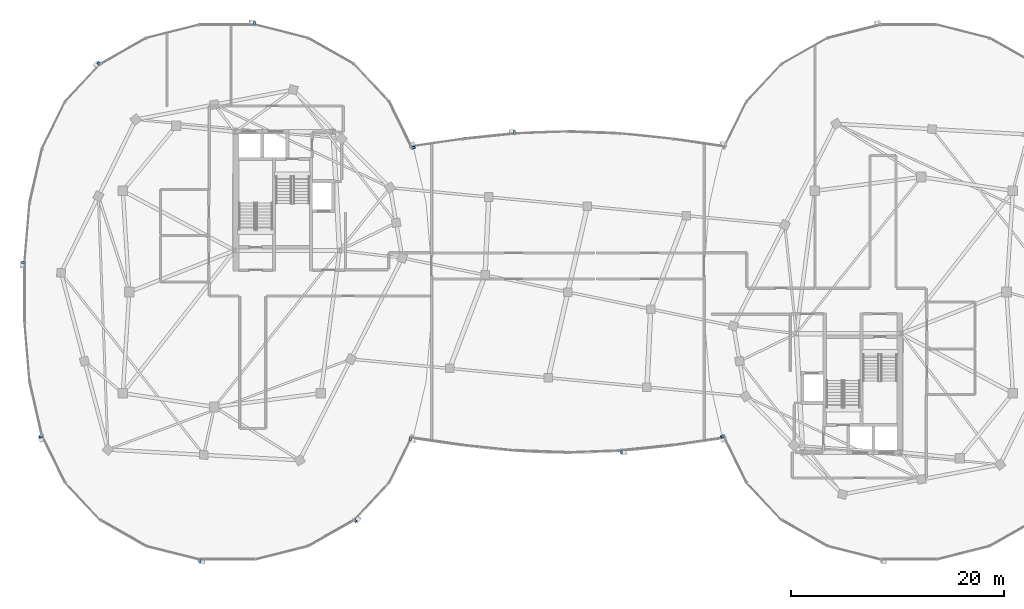
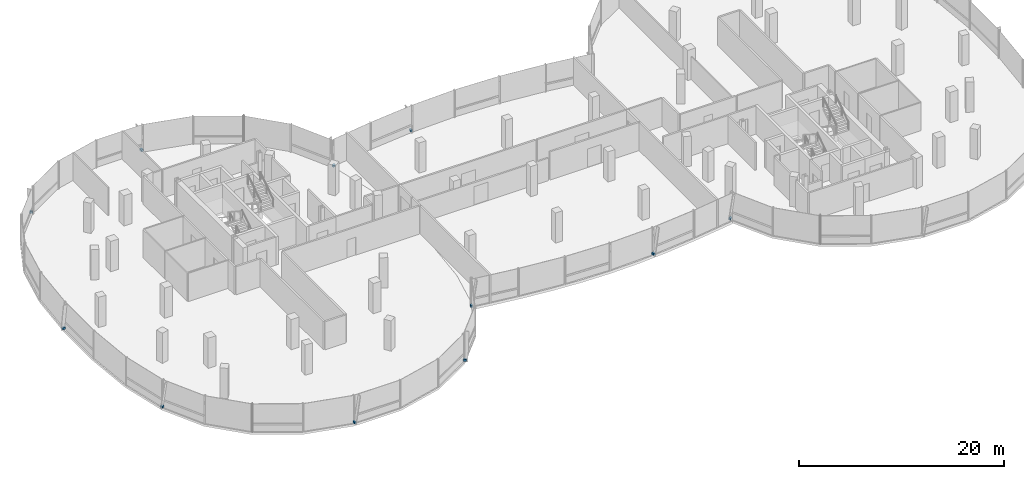
# One storey, part 17 of 24: 11 discrete accessories.
"""IFC4 building model written with IfcOpenShell, lengths in metres."""

from ifc_helpers import new_model, si_unit, direction, frame, origin, origin_2d, place, context, subcontext, project, spatial, rectangle, extrude, material, type_object, element, save


model = new_model("IFC4")

# Units and contexts
model_context = context("Model", 3, precision=1e-05, world=origin(), true_north=direction((0.0, 1.0)))
body_context = subcontext(model_context, "Body", "Model", "MODEL_VIEW")
ifc_project = project(units=[si_unit("LENGTHUNIT", "METRE"), si_unit("AREAUNIT", "SQUARE_METRE"), si_unit("VOLUMEUNIT", "CUBIC_METRE"), si_unit("PLANEANGLEUNIT", "RADIAN"), si_unit("MASSUNIT", "GRAM", prefix="KILO"), si_unit("THERMODYNAMICTEMPERATUREUNIT", "KELVIN"), si_unit("POWERUNIT", "WATT")], contexts=[model_context])

# Site, building, storey
site_placement = place(None, origin())
site = spatial("IfcSite", under=ifc_project, at=site_placement, CompositionType="ELEMENT")
building_placement = place(site_placement, origin())
building = spatial("IfcBuilding", under=site, at=building_placement, Name="Cundina Bronze Exchange", CompositionType="ELEMENT")
storey_placement = place(building_placement, frame((0.0, 0.0, 268.39990234375)))
storey = spatial("IfcBuildingStorey", under=building, at=storey_placement, Name="L71", CompositionType="ELEMENT", Elevation=268.39990234375)

# Discrete accessories
ifc_material = material(Name="Anodised Bronze Aluminium 6063-T6", Category="aluminium")
discrete_accessory_type = type_object("IfcDiscreteAccessoryType", Name="ACC-BRK-FIN", PredefinedType="BRACKET", material=ifc_material)
for number, where, z_axis, x_axis, name in (
    (1, (-14.505126953125, 13.565673828125, 0.10009765625), (0.0, 0.0, 1.0), (-0.440503330345, 0.897750976582, 0.0), "L71 Fin Support Bracket 1"),
    (2, (-29.423583984375, 25.25, 0.10009765625), (0.0, 0.0, 1.0), (-1.0, 0.0, 0.0), "L71 Fin Support Bracket 5"),
    (3, (-44.042236328125, 21.4755859375, 0.10009765625), (0.0, 0.0, 1.0), (-0.684343512797, -0.72915976061, 0.0), "L71 Fin Support Bracket 1"),
    (4, (-51.158935546875, 2.79150390625, 0.10009765625), (0.0, 0.0, 1.0), (0.0, -1.0, 0.0), "L71 Fin Support Bracket 5"),
    (5, (-49.494873046875, -13.565673828125, 0.10009765625), (0.0, 0.0, 1.0), (0.440503330345, -0.897750976582, 0.0), "L71 Fin Support Bracket 1"),
    (6, (-34.576416015625, -25.25, 0.10009765625), (0.0, 0.0, 1.0), (1.0, 0.0, 0.0), "L71 Fin Support Bracket 5"),
    (7, (-19.957763671875, -21.4755859375, 0.10009765625), (0.0, 0.0, 1.0), (0.684343512797, 0.72915976061, 0.0), "L71 Fin Support Bracket 1"),
    (8, (14.505126953125, -13.565673828125, 0.10009765625), (0.0, 0.0, 1.0), (0.440503330345, -0.897750976582, 0.0), "L71 Fin Support Bracket 1"),
    (9, (-14.799560546875, -13.79736328125, 0.10009765625), (0.0, 0.0, 1.0), (0.989528308409, -0.144338930496, 0.0), "L71 Fin Support Bracket 1"),
    (10, (5.003173828125, -15.01953125, 0.10009765625), (0.0, 0.0, 1.0), (0.994672274174, 0.103087666525, 0.0), "L71 Fin Support Bracket 5"),
    (11, (-5.003173828125, 15.01953125, 0.10009765625), (0.0, 0.0, 1.0), (-0.994672274174, -0.103087666525, 0.0), "L71 Fin Support Bracket 5"),
):
    element("IfcDiscreteAccessory", number, at=place(storey_placement, frame(where, z_axis=z_axis, x_axis=x_axis)), inside=storey, type_object=discrete_accessory_type, Name=name, PredefinedType="BRACKET", context=body_context, shape_type="SweptSolid", body=[
        extrude(rectangle(XDim=0.219970703125, YDim=0.320068359375, at=origin_2d()), origin(), (0.0, 0.0, 1.0), 0.239990234375),
    ])

save(model, "model.ifc")
